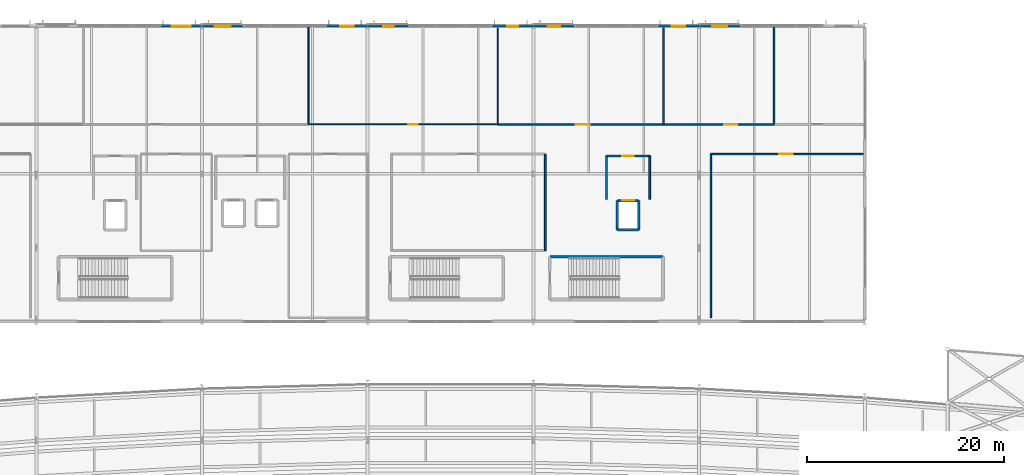
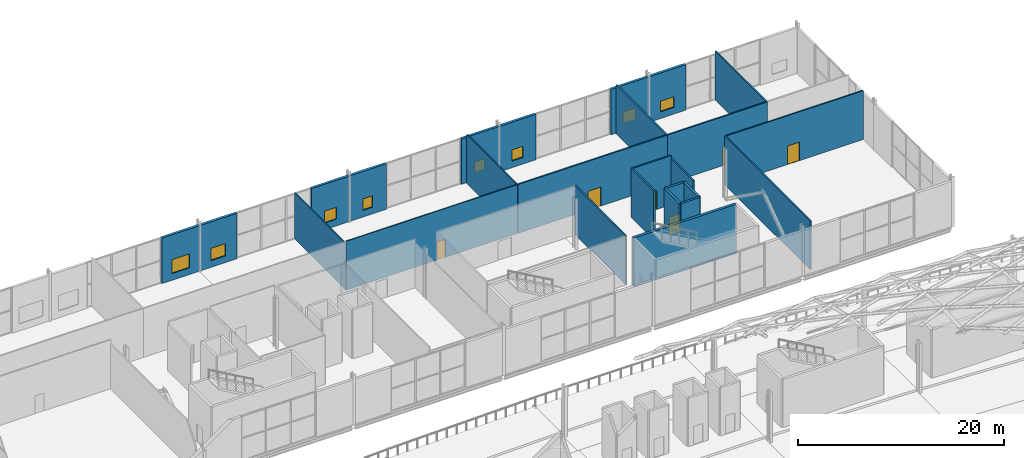
# One storey, part 85 of 100: 26 walls, 8 windows, 6 doors, 14 openings.
"""IFC4 building model written with IfcOpenShell, lengths in metres."""

from ifc_helpers import new_model, si_unit, direction, frame, frame_2d, origin, place, context, subcontext, project, spatial, rectangle, extrude, material, layer, layer_set, type_object, element, fill, save


model = new_model("IFC4")

# Units and contexts
model_context = context("Model", 3, precision=1e-05, world=origin(), true_north=direction((0.0, 1.0)))
body_context = subcontext(model_context, "Body", "Model", "MODEL_VIEW")
ifc_project = project(units=[si_unit("LENGTHUNIT", "METRE"), si_unit("AREAUNIT", "SQUARE_METRE"), si_unit("VOLUMEUNIT", "CUBIC_METRE"), si_unit("PLANEANGLEUNIT", "RADIAN"), si_unit("MASSUNIT", "GRAM", prefix="KILO")], contexts=[model_context])

# Site, building, storey
site_placement = place(None, origin())
site = spatial("IfcSite", under=ifc_project, at=site_placement, CompositionType="ELEMENT")
building_placement = place(site_placement, origin())
building = spatial("IfcBuilding", under=site, at=building_placement, Name="Kimbaza Rail Terminus", CompositionType="ELEMENT")
storey_placement = place(building_placement, frame((0.0, 0.0, 10.800048828125)))
storey = spatial("IfcBuildingStorey", under=building, at=storey_placement, Name="L02", CompositionType="ELEMENT", Elevation=10.800048828125)

# Wall, opening, window
ifc_material_1 = material(Name="Precast concrete C40/50", Category="concrete")
ifc_layer_1 = layer(ifc_material_1, 0.280029296875)
ifc_layer_set_1 = layer_set([ifc_layer_1], Name="Precast concrete C40/50")
wall_type_1 = type_object("IfcWallType", Name="ARC-WL-EXT280", PredefinedType="STANDARD", material=ifc_layer_set_1)
wall_1_placement = place(storey_placement, frame((84.60009765625, 133.0, 0.0), z_axis=(0.0, 0.0, 1.0), x_axis=(1.0, 0.0, 0.0)))
wall_1 = element("IfcWall", 1, at=wall_1_placement, inside=storey, type_object=wall_type_1, Name="Operations North Pier L02 1B", PredefinedType="STANDARD", context=body_context, shape_type="SweptSolid", body=[
    extrude(rectangle(XDim=4.199951171875, YDim=0.280029296875, at=frame_2d((2.10009765625, 0.0))), origin(), (0.0, 0.0, 1.0), 5.405029296875),
])
opening_1_placement = place(wall_1_placement, frame((1.125, 0.0, 0.800048828125)))
opening_1 = element("IfcOpeningElement", 2, at=opening_1_placement, cuts=wall_1, Name="Opening W-23", PredefinedType="OPENING", context=body_context, shape_type="SweptSolid", body=[
    extrude(rectangle(XDim=1.949951171875, YDim=1.64990234375, at=frame_2d((0.97509765625, 0.824951171875))), frame((0.0, 0.14990234375, 0.0), z_axis=(0.0, -1.0, 0.0), x_axis=(1.0, 0.0, 0.0)), (0.0, 0.0, 1.0), 0.300048828125),
])
ifc_material_2 = material(Name="Thermally broken aluminium and solar low-E glass", Category="aluminium")
window_type_1 = type_object("IfcWindowType", Name="ARC-WIN-W-23", PartitioningType="SINGLE_PANEL", PredefinedType="WINDOW", material=ifc_material_2)
window_1_placement = place(opening_1_placement, origin())
window_1 = element("IfcWindow", 3, at=window_1_placement, inside=storey, type_object=window_type_1, Name="North Facade Window W-23", OverallHeight=1.64990234375, OverallWidth=1.949951171875, PartitioningType="SINGLE_PANEL", PredefinedType="WINDOW", context=body_context, shape_type="SweptSolid", body=[
    extrude(rectangle(XDim=1.949951171875, YDim=1.64990234375, at=frame_2d((0.97509765625, 0.824951171875))), frame((0.0, 0.030029296875, 0.0), z_axis=(0.0, -1.0, 0.0), x_axis=(1.0, 0.0, 0.0)), (0.0, 0.0, 1.0), 0.06005859375),
])
fill(opening_1, window_1)

wall_2_placement = place(storey_placement, frame((88.800048828125, 133.0, 0.0), z_axis=(0.0, 0.0, 1.0), x_axis=(1.0, 0.0, 0.0)))
wall_2 = element("IfcWall", 4, at=wall_2_placement, inside=storey, type_object=wall_type_1, Name="Operations North Pier L02 2A", PredefinedType="STANDARD", context=body_context, shape_type="SweptSolid", body=[
    extrude(rectangle(XDim=4.199951171875, YDim=0.280029296875, at=frame_2d((2.10009765625, 0.0))), origin(), (0.0, 0.0, 1.0), 5.405029296875),
])
opening_2_placement = place(wall_2_placement, frame((1.27490234375, 0.0, 0.800048828125)))
opening_2 = element("IfcOpeningElement", 5, at=opening_2_placement, cuts=wall_2, Name="Opening W-24", PredefinedType="OPENING", context=body_context, shape_type="SweptSolid", body=[
    extrude(rectangle(XDim=1.64990234375, YDim=1.449951171875, at=frame_2d((0.824951171875, 0.72509765625))), frame((0.0, 0.14990234375, 0.0), z_axis=(0.0, -1.0, 0.0), x_axis=(1.0, 0.0, 0.0)), (0.0, 0.0, 1.0), 0.300048828125),
])
ifc_material_3 = material(Name="Thermally broken aluminium and solar low-E glass", Category="aluminium")
window_type_2 = type_object("IfcWindowType", Name="ARC-WIN-W-24", PartitioningType="SINGLE_PANEL", PredefinedType="WINDOW", material=ifc_material_3)
window_2_placement = place(opening_2_placement, origin())
window_2 = element("IfcWindow", 6, at=window_2_placement, inside=storey, type_object=window_type_2, Name="North Facade Window W-24", OverallHeight=1.449951171875, OverallWidth=1.64990234375, PartitioningType="SINGLE_PANEL", PredefinedType="WINDOW", context=body_context, shape_type="SweptSolid", body=[
    extrude(rectangle(XDim=1.64990234375, YDim=1.449951171875, at=frame_2d((0.824951171875, 0.72509765625))), frame((0.0, 0.030029296875, 0.0), z_axis=(0.0, -1.0, 0.0), x_axis=(1.0, 0.0, 0.0)), (0.0, 0.0, 1.0), 0.06005859375),
])
fill(opening_2, window_2)

wall_3_placement = place(storey_placement, frame((101.39990234375, 133.0, 0.0), z_axis=(0.0, 0.0, 1.0), x_axis=(1.0, 0.0, 0.0)))
wall_3 = element("IfcWall", 7, at=wall_3_placement, inside=storey, type_object=wall_type_1, Name="Operations North Pier L02 2B", PredefinedType="STANDARD", context=body_context, shape_type="SweptSolid", body=[
    extrude(rectangle(XDim=4.2001953125, YDim=0.280029296875, at=frame_2d((2.10009765625, 0.0))), origin(), (0.0, 0.0, 1.0), 5.405029296875),
])
opening_3_placement = place(wall_3_placement, frame((1.425048828125, 0.0, 0.800048828125)))
opening_3 = element("IfcOpeningElement", 8, at=opening_3_placement, cuts=wall_3, Name="Opening W-25", PredefinedType="OPENING", context=body_context, shape_type="SweptSolid", body=[
    extrude(rectangle(XDim=1.35009765625, YDim=1.39990234375, at=frame_2d((0.675048828125, 0.699951171875))), frame((0.0, 0.14990234375, 0.0), z_axis=(0.0, -1.0, 0.0), x_axis=(1.0, 0.0, 0.0)), (0.0, 0.0, 1.0), 0.300048828125),
])
ifc_material_4 = material(Name="Thermally broken aluminium and solar low-E glass", Category="aluminium")
window_type_3 = type_object("IfcWindowType", Name="ARC-WIN-W-25", PartitioningType="SINGLE_PANEL", PredefinedType="WINDOW", material=ifc_material_4)
window_3_placement = place(opening_3_placement, origin())
window_3 = element("IfcWindow", 9, at=window_3_placement, inside=storey, type_object=window_type_3, Name="North Facade Window W-25", OverallHeight=1.39990234375, OverallWidth=1.35009765625, PartitioningType="SINGLE_PANEL", PredefinedType="WINDOW", context=body_context, shape_type="SweptSolid", body=[
    extrude(rectangle(XDim=1.35009765625, YDim=1.39990234375, at=frame_2d((0.675048828125, 0.699951171875))), frame((0.0, 0.030029296875, 0.0), z_axis=(0.0, -1.0, 0.0), x_axis=(1.0, 0.0, 0.0)), (0.0, 0.0, 1.0), 0.06005859375),
])
fill(opening_3, window_3)

wall_4_placement = place(storey_placement, frame((105.60009765625, 133.0, 0.0), z_axis=(0.0, 0.0, 1.0), x_axis=(1.0, 0.0, 0.0)))
wall_4 = element("IfcWall", 10, at=wall_4_placement, inside=storey, type_object=wall_type_1, Name="Operations North Pier L02 3A", PredefinedType="STANDARD", context=body_context, shape_type="SweptSolid", body=[
    extrude(rectangle(XDim=4.199951171875, YDim=0.280029296875, at=frame_2d((2.10009765625, 0.0))), origin(), (0.0, 0.0, 1.0), 5.405029296875),
])
opening_4_placement = place(wall_4_placement, frame((1.574951171875, 0.0, 0.800048828125)))
opening_4 = element("IfcOpeningElement", 11, at=opening_4_placement, cuts=wall_4, Name="Opening W-26", PredefinedType="OPENING", context=body_context, shape_type="SweptSolid", body=[
    extrude(rectangle(XDim=1.050048828125, YDim=1.35009765625, at=frame_2d((0.52490234375, 0.675048828125))), frame((0.0, 0.14990234375, 0.0), z_axis=(0.0, -1.0, 0.0), x_axis=(1.0, 0.0, 0.0)), (0.0, 0.0, 1.0), 0.300048828125),
])
ifc_material_5 = material(Name="Thermally broken aluminium and solar low-E glass", Category="aluminium")
window_type_4 = type_object("IfcWindowType", Name="ARC-WIN-W-26", PartitioningType="SINGLE_PANEL", PredefinedType="WINDOW", material=ifc_material_5)
window_4_placement = place(opening_4_placement, origin())
window_4 = element("IfcWindow", 12, at=window_4_placement, inside=storey, type_object=window_type_4, Name="North Facade Window W-26", OverallHeight=1.35009765625, OverallWidth=1.050048828125, PartitioningType="SINGLE_PANEL", PredefinedType="WINDOW", context=body_context, shape_type="SweptSolid", body=[
    extrude(rectangle(XDim=1.050048828125, YDim=1.35009765625, at=frame_2d((0.52490234375, 0.675048828125))), frame((0.0, 0.030029296875, 0.0), z_axis=(0.0, -1.0, 0.0), x_axis=(1.0, 0.0, 0.0)), (0.0, 0.0, 1.0), 0.06005859375),
])
fill(opening_4, window_4)

wall_5_placement = place(storey_placement, frame((118.199951171875, 133.0, 0.0), z_axis=(0.0, 0.0, 1.0), x_axis=(1.0, 0.0, 0.0)))
wall_5 = element("IfcWall", 13, at=wall_5_placement, inside=storey, type_object=wall_type_1, Name="Operations North Pier L02 3B", PredefinedType="STANDARD", context=body_context, shape_type="SweptSolid", body=[
    extrude(rectangle(XDim=4.199951171875, YDim=0.280029296875, at=frame_2d((2.10009765625, 0.0))), origin(), (0.0, 0.0, 1.0), 5.405029296875),
])
opening_5_placement = place(wall_5_placement, frame((1.550048828125, 0.0, 0.800048828125)))
opening_5 = element("IfcOpeningElement", 14, at=opening_5_placement, cuts=wall_5, Name="Opening W-27", PredefinedType="OPENING", context=body_context, shape_type="SweptSolid", body=[
    extrude(rectangle(XDim=1.10009765625, YDim=1.25, at=frame_2d((0.550048828125, 0.625))), frame((0.0, 0.14990234375, 0.0), z_axis=(0.0, -1.0, 0.0), x_axis=(1.0, 0.0, 0.0)), (0.0, 0.0, 1.0), 0.300048828125),
])
ifc_material_6 = material(Name="Thermally broken aluminium and solar low-E glass", Category="aluminium")
window_type_5 = type_object("IfcWindowType", Name="ARC-WIN-W-27", PartitioningType="SINGLE_PANEL", PredefinedType="WINDOW", material=ifc_material_6)
window_5_placement = place(opening_5_placement, origin())
window_5 = element("IfcWindow", 15, at=window_5_placement, inside=storey, type_object=window_type_5, Name="North Facade Window W-27", OverallHeight=1.25, OverallWidth=1.10009765625, PartitioningType="SINGLE_PANEL", PredefinedType="WINDOW", context=body_context, shape_type="SweptSolid", body=[
    extrude(rectangle(XDim=1.10009765625, YDim=1.25, at=frame_2d((0.550048828125, 0.625))), frame((0.0, 0.030029296875, 0.0), z_axis=(0.0, -1.0, 0.0), x_axis=(1.0, 0.0, 0.0)), (0.0, 0.0, 1.0), 0.06005859375),
])
fill(opening_5, window_5)

wall_6_placement = place(storey_placement, frame((122.39990234375, 133.0, 0.0), z_axis=(0.0, 0.0, 1.0), x_axis=(1.0, 0.0, 0.0)))
wall_6 = element("IfcWall", 16, at=wall_6_placement, inside=storey, type_object=wall_type_1, Name="Operations North Pier L02 4A", PredefinedType="STANDARD", context=body_context, shape_type="SweptSolid", body=[
    extrude(rectangle(XDim=4.2001953125, YDim=0.280029296875, at=frame_2d((2.10009765625, 0.0))), origin(), (0.0, 0.0, 1.0), 5.405029296875),
])
opening_6_placement = place(wall_6_placement, frame((1.47998046875, 0.0, 0.800048828125)))
opening_6 = element("IfcOpeningElement", 17, at=opening_6_placement, cuts=wall_6, Name="Opening W-28", PredefinedType="OPENING", context=body_context, shape_type="SweptSolid", body=[
    extrude(rectangle(XDim=1.239990234375, YDim=1.31005859375, at=frame_2d((0.6201171875, 0.655029296875))), frame((0.0, 0.14990234375, 0.0), z_axis=(0.0, -1.0, 0.0), x_axis=(1.0, 0.0, 0.0)), (0.0, 0.0, 1.0), 0.300048828125),
])
ifc_material_7 = material(Name="Thermally broken aluminium and solar low-E glass", Category="aluminium")
window_type_6 = type_object("IfcWindowType", Name="ARC-WIN-W-28", PartitioningType="SINGLE_PANEL", PredefinedType="WINDOW", material=ifc_material_7)
window_6_placement = place(opening_6_placement, origin())
window_6 = element("IfcWindow", 18, at=window_6_placement, inside=storey, type_object=window_type_6, Name="North Facade Window W-28", OverallHeight=1.31005859375, OverallWidth=1.239990234375, PartitioningType="SINGLE_PANEL", PredefinedType="WINDOW", context=body_context, shape_type="SweptSolid", body=[
    extrude(rectangle(XDim=1.239990234375, YDim=1.31005859375, at=frame_2d((0.6201171875, 0.655029296875))), frame((0.0, 0.030029296875, 0.0), z_axis=(0.0, -1.0, 0.0), x_axis=(1.0, 0.0, 0.0)), (0.0, 0.0, 1.0), 0.06005859375),
])
fill(opening_6, window_6)

wall_7_placement = place(storey_placement, frame((135.0, 133.0, 0.0), z_axis=(0.0, 0.0, 1.0), x_axis=(1.0, 0.0, 0.0)))
wall_7 = element("IfcWall", 19, at=wall_7_placement, inside=storey, type_object=wall_type_1, Name="Operations North Pier L02 4B", PredefinedType="STANDARD", context=body_context, shape_type="SweptSolid", body=[
    extrude(rectangle(XDim=4.199951171875, YDim=0.280029296875, at=frame_2d((2.10009765625, 0.0))), origin(), (0.0, 0.0, 1.0), 5.405029296875),
])
opening_7_placement = place(wall_7_placement, frame((1.409912109375, 0.0, 0.800048828125)))
opening_7 = element("IfcOpeningElement", 20, at=opening_7_placement, cuts=wall_7, Name="Opening W-29", PredefinedType="OPENING", context=body_context, shape_type="SweptSolid", body=[
    extrude(rectangle(XDim=1.3798828125, YDim=1.3701171875, at=frame_2d((0.68994140625, 0.68505859375))), frame((0.0, 0.14990234375, 0.0), z_axis=(0.0, -1.0, 0.0), x_axis=(1.0, 0.0, 0.0)), (0.0, 0.0, 1.0), 0.300048828125),
])
ifc_material_8 = material(Name="Thermally broken aluminium and solar low-E glass", Category="aluminium")
window_type_7 = type_object("IfcWindowType", Name="ARC-WIN-W-29", PartitioningType="SINGLE_PANEL", PredefinedType="WINDOW", material=ifc_material_8)
window_7_placement = place(opening_7_placement, origin())
window_7 = element("IfcWindow", 21, at=window_7_placement, inside=storey, type_object=window_type_7, Name="North Facade Window W-29", OverallHeight=1.3701171875, OverallWidth=1.3798828125, PartitioningType="SINGLE_PANEL", PredefinedType="WINDOW", context=body_context, shape_type="SweptSolid", body=[
    extrude(rectangle(XDim=1.3798828125, YDim=1.3701171875, at=frame_2d((0.68994140625, 0.68505859375))), frame((0.0, 0.030029296875, 0.0), z_axis=(0.0, -1.0, 0.0), x_axis=(1.0, 0.0, 0.0)), (0.0, 0.0, 1.0), 0.06005859375),
])
fill(opening_7, window_7)

wall_8_placement = place(storey_placement, frame((139.199951171875, 133.0, 0.0), z_axis=(0.0, 0.0, 1.0), x_axis=(1.0, 0.0, 0.0)))
wall_8 = element("IfcWall", 22, at=wall_8_placement, inside=storey, type_object=wall_type_1, Name="Operations North Pier L02 5A", PredefinedType="STANDARD", context=body_context, shape_type="SweptSolid", body=[
    extrude(rectangle(XDim=4.199951171875, YDim=0.280029296875, at=frame_2d((2.10009765625, 0.0))), origin(), (0.0, 0.0, 1.0), 5.405029296875),
])
opening_8_placement = place(wall_8_placement, frame((1.340087890625, 0.0, 0.800048828125)))
opening_8 = element("IfcOpeningElement", 23, at=opening_8_placement, cuts=wall_8, Name="Opening W-30", PredefinedType="OPENING", context=body_context, shape_type="SweptSolid", body=[
    extrude(rectangle(XDim=1.52001953125, YDim=1.25, at=frame_2d((0.760009765625, 0.625))), frame((0.0, 0.14990234375, 0.0), z_axis=(0.0, -1.0, 0.0), x_axis=(1.0, 0.0, 0.0)), (0.0, 0.0, 1.0), 0.300048828125),
])
ifc_material_9 = material(Name="Thermally broken aluminium and solar low-E glass", Category="aluminium")
window_type_8 = type_object("IfcWindowType", Name="ARC-WIN-W-30", PartitioningType="SINGLE_PANEL", PredefinedType="WINDOW", material=ifc_material_9)
window_8_placement = place(opening_8_placement, origin())
window_8 = element("IfcWindow", 24, at=window_8_placement, inside=storey, type_object=window_type_8, Name="North Facade Window W-30", OverallHeight=1.25, OverallWidth=1.52001953125, PartitioningType="SINGLE_PANEL", PredefinedType="WINDOW", context=body_context, shape_type="SweptSolid", body=[
    extrude(rectangle(XDim=1.52001953125, YDim=1.25, at=frame_2d((0.760009765625, 0.625))), frame((0.0, 0.030029296875, 0.0), z_axis=(0.0, -1.0, 0.0), x_axis=(1.0, 0.0, 0.0)), (0.0, 0.0, 1.0), 0.06005859375),
])
fill(opening_8, window_8)

# Wall
ifc_material_10 = material(Name="Concrete blockwork C30/37", Category="masonry")
ifc_layer_2 = layer(ifc_material_10, 0.179931640625)
ifc_layer_set_2 = layer_set([ifc_layer_2], Name="Concrete blockwork C30/37")
wall_type_2 = type_object("IfcWallType", Name="ARC-WL-FIRE180", PredefinedType="PARTITIONING", material=ifc_layer_set_2)
wall_9_placement = place(storey_placement, frame((134.199951171875, 115.39990234375, 0.0), z_axis=(0.0, 0.0, 1.0), x_axis=(0.0, 1.0, 0.0)))
element("IfcWall", 25, at=wall_9_placement, inside=storey, type_object=wall_type_2, Name="Firefighting Lobby LF-02 Partition (east)", PredefinedType="PARTITIONING", context=body_context, shape_type="SweptSolid", body=[
    extrude(rectangle(XDim=4.400146484375, YDim=0.179931640625, at=frame_2d((2.2001953125, 0.0))), origin(), (0.0, 0.0, 1.0), 5.46484375),
])

# Wall, opening, door
wall_10_placement = place(storey_placement, frame((134.199951171875, 119.800048828125, 0.0), z_axis=(0.0, 0.0, 1.0), x_axis=(-1.0, 0.0, 0.0)))
wall_10 = element("IfcWall", 26, at=wall_10_placement, inside=storey, type_object=wall_type_2, Name="Firefighting Lobby LF-02 Partition (north)", PredefinedType="PARTITIONING", context=body_context, shape_type="SweptSolid", body=[
    extrude(rectangle(XDim=4.39990234375, YDim=0.179931640625, at=frame_2d((2.199951171875, 0.0))), origin(), (0.0, 0.0, 1.0), 5.800048828125),
])
opening_9_placement = place(wall_10_placement, frame((1.625, 0.0, 0.0)))
opening_9 = element("IfcOpeningElement", 27, at=opening_9_placement, cuts=wall_10, Name="Opening FD-03", PredefinedType="OPENING", context=body_context, shape_type="SweptSolid", body=[
    extrude(rectangle(XDim=1.14990234375, YDim=2.199951171875, at=frame_2d((0.574951171875, 1.10009765625))), frame((0.0, 0.099853515625, 0.0), z_axis=(0.0, -1.0, 0.0), x_axis=(1.0, 0.0, 0.0)), (0.0, 0.0, 1.0), 0.199951171875),
])
ifc_material_11 = material(Name="Firefighting lobby self-closing steel door", Category="steel")
door_type_1 = type_object("IfcDoorType", Name="ARC-DR-FD115", OperationType="NOTDEFINED", PredefinedType="DOOR", material=ifc_material_11)
door_1_placement = place(opening_9_placement, origin())
door_1 = element("IfcDoor", 28, at=door_1_placement, inside=storey, type_object=door_type_1, Name="IDR-SPC-FFL-LF-02-L02", OperationType="SINGLE_SWING_LEFT", OverallHeight=2.199951171875, OverallWidth=1.14990234375, PredefinedType="DOOR", context=body_context, shape_type="SweptSolid", body=[
    extrude(rectangle(XDim=1.14990234375, YDim=2.199951171875, at=frame_2d((0.574951171875, 1.10009765625))), frame((0.0, 0.02490234375, 0.0), z_axis=(0.0, -1.0, 0.0), x_axis=(1.0, 0.0, 0.0)), (0.0, 0.0, 1.0), 0.050048828125),
])
fill(opening_9, door_1)

# Wall
wall_11_placement = place(storey_placement, frame((129.800048828125, 119.800048828125, 0.0), z_axis=(0.0, 0.0, 1.0), x_axis=(0.0, -1.0, 0.0)))
element("IfcWall", 29, at=wall_11_placement, inside=storey, type_object=wall_type_2, Name="Firefighting Lobby LF-02 Partition (west)", PredefinedType="PARTITIONING", context=body_context, shape_type="SweptSolid", body=[
    extrude(rectangle(XDim=4.400146484375, YDim=0.179931640625, at=frame_2d((2.2001953125, 0.0))), origin(), (0.0, 0.0, 1.0), 5.800048828125),
])

# Wall, opening, door
ifc_material_12 = material(Name="Demountable acoustic glass wall", Category="glass")
ifc_layer_3 = layer(ifc_material_12, 0.110107421875)
ifc_layer_set_3 = layer_set([ifc_layer_3], Name="Demountable acoustic glass wall")
wall_type_3 = type_object("IfcWallType", Name="ARC-WL-MOV110", PredefinedType="MOVABLE", material=ifc_layer_set_3)
wall_12_placement = place(storey_placement, frame((99.60009765625, 123.0, 0.0), z_axis=(0.0, 0.0, 1.0), x_axis=(1.0, 0.0, 0.0)))
wall_12 = element("IfcWall", 30, at=wall_12_placement, inside=storey, type_object=wall_type_3, Name="Railway Fiber Telecoms Switching Room Partition (south)", PredefinedType="MOVABLE", context=body_context, shape_type="SweptSolid", body=[
    extrude(rectangle(XDim=19.199951171875, YDim=0.110107421875, at=frame_2d((9.60009765625, 0.0))), origin(), (0.0, 0.0, 1.0), 5.800048828125),
])
opening_10_placement = place(wall_12_placement, frame((10.125, 0.0, 0.0)))
opening_10 = element("IfcOpeningElement", 31, at=opening_10_placement, cuts=wall_12, Name="Opening ID-06", PredefinedType="OPENING", context=body_context, shape_type="SweptSolid", body=[
    extrude(rectangle(XDim=0.949951171875, YDim=2.14990234375, at=frame_2d((0.47509765625, 1.074951171875))), frame((0.0, 0.06494140625, 0.0), z_axis=(0.0, -1.0, 0.0), x_axis=(1.0, 0.0, 0.0)), (0.0, 0.0, 1.0), 0.130126953125),
])
ifc_material_13 = material(Name="Accessible washroom outward-capable door", Category="wood")
door_type_2 = type_object("IfcDoorType", Name="ARC-DR-ID095", OperationType="NOTDEFINED", PredefinedType="DOOR", material=ifc_material_13)
door_2_placement = place(opening_10_placement, origin())
door_2 = element("IfcDoor", 32, at=door_2_placement, inside=storey, type_object=door_type_2, Name="IDR-SPC-V5N-L02-03", OperationType="SINGLE_SWING_LEFT", OverallHeight=2.14990234375, OverallWidth=0.949951171875, PredefinedType="DOOR", context=body_context, shape_type="SweptSolid", body=[
    extrude(rectangle(XDim=0.949951171875, YDim=2.14990234375, at=frame_2d((0.47509765625, 1.074951171875))), frame((0.0, 0.02490234375, 0.0), z_axis=(0.0, -1.0, 0.0), x_axis=(1.0, 0.0, 0.0)), (0.0, 0.0, 1.0), 0.050048828125),
])
fill(opening_10, door_2)

# Walls
wall_13_placement = place(storey_placement, frame((118.800048828125, 123.0, 0.0), z_axis=(0.0, 0.0, 1.0), x_axis=(0.0, 1.0, 0.0)))
element("IfcWall", 33, at=wall_13_placement, inside=storey, type_object=wall_type_3, Name="Railway Fiber Telecoms Switching Room Partition (east)", PredefinedType="MOVABLE", context=body_context, shape_type="SweptSolid", body=[
    extrude(rectangle(XDim=9.800048828125, YDim=0.110107421875, at=frame_2d((4.89990234375, 0.0))), origin(), (0.0, 0.0, 1.0), 5.800048828125),
])
ifc_material_14 = material(Name="Moisture-resistant stud wall", Category="gypsum")
ifc_layer_4 = layer(ifc_material_14, 0.1201171875)
ifc_layer_set_4 = layer_set([ifc_layer_4], Name="Moisture-resistant stud wall")
wall_type_4 = type_object("IfcWallType", Name="ARC-WL-PART120", PredefinedType="PARTITIONING", material=ifc_layer_set_4)
wall_14_placement = place(storey_placement, frame((99.60009765625, 123.0, 0.0), z_axis=(0.0, 0.0, 1.0), x_axis=(0.0, 1.0, 0.0)))
element("IfcWall", 34, at=wall_14_placement, inside=storey, type_object=wall_type_4, Name="Interlocking Signalling Relay Suite B Partition (east)", PredefinedType="PARTITIONING", context=body_context, shape_type="SweptSolid", body=[
    extrude(rectangle(XDim=9.97998046875, YDim=0.1201171875, at=frame_2d((4.989990234375, 0.0))), origin(), (0.0, 0.0, 1.0), 5.46484375),
])

# Wall, opening, door
ifc_material_15 = material(Name="Acoustic gypsum stud partition", Category="gypsum")
ifc_layer_5 = layer(ifc_material_15, 0.14990234375)
ifc_layer_set_5 = layer_set([ifc_layer_5], Name="Acoustic gypsum stud partition")
wall_type_5 = type_object("IfcWallType", Name="ARC-WL-PART150", PredefinedType="PARTITIONING", material=ifc_layer_set_5)
wall_15_placement = place(storey_placement, frame((135.60009765625, 123.0, 0.0), z_axis=(0.0, 0.0, 1.0), x_axis=(1.0, 0.0, 0.0)))
wall_15 = element("IfcWall", 35, at=wall_15_placement, inside=storey, type_object=wall_type_5, Name="Signalling Diagnostic Workshop Partition (south)", PredefinedType="PARTITIONING", context=body_context, shape_type="SweptSolid", body=[
    extrude(rectangle(XDim=11.199951171875, YDim=0.14990234375, at=frame_2d((5.60009765625, 0.0))), origin(), (0.0, 0.0, 1.0), 5.800048828125),
])
opening_11_placement = place(wall_15_placement, frame((6.14990234375, 0.0, 0.0)))
opening_11 = element("IfcOpeningElement", 36, at=opening_11_placement, cuts=wall_15, Name="Opening ID-08", PredefinedType="OPENING", context=body_context, shape_type="SweptSolid", body=[
    extrude(rectangle(XDim=1.300048828125, YDim=2.14990234375, at=frame_2d((0.64990234375, 1.074951171875))), frame((0.0, 0.0849609375, 0.0), z_axis=(0.0, -1.0, 0.0), x_axis=(1.0, 0.0, 0.0)), (0.0, 0.0, 1.0), 0.169921875),
])
ifc_material_16 = material(Name="Training classroom acoustic door", Category="wood")
door_type_3 = type_object("IfcDoorType", Name="ARC-DR-ID130", OperationType="NOTDEFINED", PredefinedType="DOOR", material=ifc_material_16)
door_3_placement = place(opening_11_placement, origin())
door_3 = element("IfcDoor", 37, at=door_3_placement, inside=storey, type_object=door_type_3, Name="IDR-SPC-V5N-L02-05", OperationType="SINGLE_SWING_LEFT", OverallHeight=2.14990234375, OverallWidth=1.300048828125, PredefinedType="DOOR", context=body_context, shape_type="SweptSolid", body=[
    extrude(rectangle(XDim=1.300048828125, YDim=2.14990234375, at=frame_2d((0.64990234375, 1.074951171875))), frame((0.0, 0.02490234375, 0.0), z_axis=(0.0, -1.0, 0.0), x_axis=(1.0, 0.0, 0.0)), (0.0, 0.0, 1.0), 0.050048828125),
])
fill(opening_11, door_3)

# Wall
wall_16_placement = place(storey_placement, frame((146.800048828125, 123.0, 0.0), z_axis=(0.0, 0.0, 1.0), x_axis=(0.0, 1.0, 0.0)))
element("IfcWall", 38, at=wall_16_placement, inside=storey, type_object=wall_type_5, Name="Signalling Diagnostic Workshop Partition (east)", PredefinedType="PARTITIONING", context=body_context, shape_type="SweptSolid", body=[
    extrude(rectangle(XDim=9.97998046875, YDim=0.14990234375, at=frame_2d((4.989990234375, 0.0))), origin(), (0.0, 0.0, 1.0), 5.800048828125),
])

# Wall, opening, door
wall_17_placement = place(storey_placement, frame((155.860107421875, 120.0, 0.0), z_axis=(0.0, 0.0, 1.0), x_axis=(-1.0, 0.0, 0.0)))
wall_17 = element("IfcWall", 39, at=wall_17_placement, inside=storey, type_object=wall_type_5, Name="L02 East Telecoms Technical Office Partition (north)", PredefinedType="PARTITIONING", context=body_context, shape_type="SweptSolid", body=[
    extrude(rectangle(XDim=15.460205078125, YDim=0.14990234375, at=frame_2d((7.72998046875, 0.0))), origin(), (0.0, 0.0, 1.0), 5.800048828125),
])
opening_12_placement = place(wall_17_placement, frame((7.18505859375, 0.0, 0.0)))
opening_12 = element("IfcOpeningElement", 40, at=opening_12_placement, cuts=wall_17, Name="Opening ID-02", PredefinedType="OPENING", context=body_context, shape_type="SweptSolid", body=[
    extrude(rectangle(XDim=1.35009765625, YDim=2.199951171875, at=frame_2d((0.675048828125, 1.10009765625))), frame((0.0, 0.0849609375, 0.0), z_axis=(0.0, -1.0, 0.0), x_axis=(1.0, 0.0, 0.0)), (0.0, 0.0, 1.0), 0.169921875),
])
ifc_material_17 = material(Name="Anodised aluminium glazed lounge door", Category="aluminium")
door_type_4 = type_object("IfcDoorType", Name="ARC-DR-ID135", OperationType="NOTDEFINED", PredefinedType="DOOR", material=ifc_material_17)
door_4_placement = place(opening_12_placement, origin())
door_4 = element("IfcDoor", 41, at=door_4_placement, inside=storey, type_object=door_type_4, Name="IDR-SPC-V5S-L02-5", OperationType="SINGLE_SWING_LEFT", OverallHeight=2.199951171875, OverallWidth=1.35009765625, PredefinedType="DOOR", context=body_context, shape_type="SweptSolid", body=[
    extrude(rectangle(XDim=1.35009765625, YDim=2.199951171875, at=frame_2d((0.675048828125, 1.10009765625))), frame((0.0, 0.02490234375, 0.0), z_axis=(0.0, -1.0, 0.0), x_axis=(1.0, 0.0, 0.0)), (0.0, 0.0, 1.0), 0.050048828125),
])
fill(opening_12, door_4)

# Wall
wall_18_placement = place(storey_placement, frame((140.39990234375, 120.0, 0.0), z_axis=(0.0, 0.0, 1.0), x_axis=(0.0, -1.0, 0.0)))
element("IfcWall", 42, at=wall_18_placement, inside=storey, type_object=wall_type_5, Name="L02 East Telecoms Technical Office Partition (west)", PredefinedType="PARTITIONING", context=body_context, shape_type="SweptSolid", body=[
    extrude(rectangle(XDim=16.60009765625, YDim=0.14990234375, at=frame_2d((8.300048828125, 0.0))), origin(), (0.0, 0.0, 1.0), 5.800048828125),
])

# Wall, opening, door
ifc_material_18 = material(Name="Acoustic gypsum stud partition", Category="gypsum")
ifc_layer_6 = layer(ifc_material_18, 0.159912109375)
ifc_layer_set_6 = layer_set([ifc_layer_6], Name="Acoustic gypsum stud partition")
wall_type_6 = type_object("IfcWallType", Name="ARC-WL-PART160", PredefinedType="PARTITIONING", material=ifc_layer_set_6)
wall_19_placement = place(storey_placement, frame((118.800048828125, 123.0, 0.0), z_axis=(0.0, 0.0, 1.0), x_axis=(1.0, 0.0, 0.0)))
wall_19 = element("IfcWall", 43, at=wall_19_placement, inside=storey, type_object=wall_type_6, Name="Traction Power SCADA Supervision Partition (south)", PredefinedType="PARTITIONING", context=body_context, shape_type="SweptSolid", body=[
    extrude(rectangle(XDim=16.800048828125, YDim=0.159912109375, at=frame_2d((8.39990234375, 0.0))), origin(), (0.0, 0.0, 1.0), 5.800048828125),
])
opening_13_placement = place(wall_19_placement, frame((9.324951171875, 0.0, 0.0), z_axis=(0.0, 0.0, 1.0), x_axis=(-1.0, 0.0, 0.0)))
opening_13 = element("IfcOpeningElement", 44, at=opening_13_placement, cuts=wall_19, Name="Opening ID-07", PredefinedType="OPENING", context=body_context, shape_type="SweptSolid", body=[
    extrude(rectangle(XDim=1.449951171875, YDim=2.25, at=frame_2d((0.72509765625, 1.125))), frame((0.0, 0.08984375, 0.0), z_axis=(0.0, -1.0, 0.0), x_axis=(1.0, 0.0, 0.0)), (0.0, 0.0, 1.0), 0.179931640625),
])
ifc_material_19 = material(Name="Retail shopfront glazed entrance door", Category="aluminium")
door_type_5 = type_object("IfcDoorType", Name="ARC-DR-ID145", OperationType="NOTDEFINED", PredefinedType="DOOR", material=ifc_material_19)
door_5_placement = place(opening_13_placement, origin())
door_5 = element("IfcDoor", 45, at=door_5_placement, inside=storey, type_object=door_type_5, Name="IDR-SPC-V5N-L02-04", OperationType="SINGLE_SWING_RIGHT", OverallHeight=2.25, OverallWidth=1.449951171875, PredefinedType="DOOR", context=body_context, shape_type="SweptSolid", body=[
    extrude(rectangle(XDim=1.449951171875, YDim=2.25, at=frame_2d((0.72509765625, 1.125))), frame((0.0, 0.02490234375, 0.0), z_axis=(0.0, -1.0, 0.0), x_axis=(1.0, 0.0, 0.0)), (0.0, 0.0, 1.0), 0.050048828125),
])
fill(opening_13, door_5)

# Walls
for number, where, z_axis, x_axis, name in (
    (46, (135.60009765625, 123.0, 0.0), (0.0, 0.0, 1.0), (0.0, 1.0, 0.0), "Traction Power SCADA Supervision Partition (east)"),
    (47, (123.60009765625, 110.199951171875, 0.0), (0.0, 0.0, 1.0), (0.0, 1.0, 0.0), "L02 Rolling Stock Rostering Studio Partition (east)"),
):
    element("IfcWall", number, at=place(storey_placement, frame(where, z_axis=z_axis, x_axis=x_axis)), inside=storey, type_object=wall_type_6, Name=name, PredefinedType="PARTITIONING", context=body_context, shape_type="SweptSolid", body=[
        extrude(rectangle(XDim=9.800048828125, YDim=0.159912109375, at=frame_2d((4.89990234375, 0.0))), origin(), (0.0, 0.0, 1.0), 5.800048828125),
    ])
ifc_material_20 = material(Name="Concrete C40/50", Category="concrete")
ifc_layer_7 = layer(ifc_material_20, 0.25)
ifc_layer_set_7 = layer_set([ifc_layer_7], Name="Concrete C40/50")
wall_type_7 = type_object("IfcWallType", Name="STR-WL-CORE250", PredefinedType="SHEAR", material=ifc_layer_set_7)
wall_20_placement = place(storey_placement, frame((130.919921875, 112.320068359375, 0.0), z_axis=(0.0, 0.0, 1.0), x_axis=(1.0, 0.0, 0.0)))
element("IfcWall", 48, at=wall_20_placement, inside=storey, type_object=wall_type_7, Name="Lift Shaft Wall LF-02 L02-1", PredefinedType="SHEAR", context=body_context, shape_type="SweptSolid", body=[
    extrude(rectangle(XDim=2.16015625, YDim=0.25, at=frame_2d((1.080078125, 0.0))), origin(), (0.0, 0.0, 1.0), 5.800048828125),
])
wall_21_placement = place(storey_placement, frame((133.080078125, 112.320068359375, 0.0), z_axis=(0.0, 0.0, 1.0), x_axis=(0.0, 1.0, 0.0)))
element("IfcWall", 49, at=wall_21_placement, inside=storey, type_object=wall_type_7, Name="Lift Shaft Wall LF-02 L02-2", PredefinedType="SHEAR", context=body_context, shape_type="SweptSolid", body=[
    extrude(rectangle(XDim=2.9599609375, YDim=0.25, at=frame_2d((1.47998046875, 0.0))), origin(), (0.0, 0.0, 1.0), 5.800048828125),
])

# Wall, opening, door
wall_22_placement = place(storey_placement, frame((133.080078125, 115.280029296875, 0.0), z_axis=(0.0, 0.0, 1.0), x_axis=(-1.0, 0.0, 0.0)))
wall_22 = element("IfcWall", 50, at=wall_22_placement, inside=storey, type_object=wall_type_7, Name="Lift Shaft Wall LF-02 L02-3", PredefinedType="SHEAR", context=body_context, shape_type="SweptSolid", body=[
    extrude(rectangle(XDim=2.16015625, YDim=0.25, at=frame_2d((1.080078125, 0.0))), origin(), (0.0, 0.0, 1.0), 5.800048828125),
])
opening_14_placement = place(wall_22_placement, frame((0.47998046875, 0.0, 0.0)))
opening_14 = element("IfcOpeningElement", 51, at=opening_14_placement, cuts=wall_22, Name="Opening LD-02", PredefinedType="OPENING", context=body_context, shape_type="SweptSolid", body=[
    extrude(rectangle(XDim=1.199951171875, YDim=2.199951171875, at=frame_2d((0.60009765625, 1.10009765625))), frame((0.0, 0.135009765625, 0.0), z_axis=(0.0, -1.0, 0.0), x_axis=(1.0, 0.0, 0.0)), (0.0, 0.0, 1.0), 0.27001953125),
])
ifc_material_21 = material(Name="Firefighting stainless steel landing door", Category="steel")
door_type_6 = type_object("IfcDoorType", Name="ARC-DR-LD120", OperationType="NOTDEFINED", PredefinedType="DOOR", material=ifc_material_21)
door_6_placement = place(opening_14_placement, origin())
door_6 = element("IfcDoor", 52, at=door_6_placement, inside=storey, type_object=door_type_6, Name="LDR-LF-02-L02", OperationType="SLIDING_TO_RIGHT", OverallHeight=2.199951171875, OverallWidth=1.199951171875, PredefinedType="DOOR", context=body_context, shape_type="SweptSolid", body=[
    extrude(rectangle(XDim=1.199951171875, YDim=2.199951171875, at=frame_2d((0.60009765625, 1.10009765625))), frame((0.0, 0.02490234375, 0.0), z_axis=(0.0, -1.0, 0.0), x_axis=(1.0, 0.0, 0.0)), (0.0, 0.0, 1.0), 0.050048828125),
])
fill(opening_14, door_6)

# Walls
wall_23_placement = place(storey_placement, frame((130.919921875, 115.280029296875, 0.0), z_axis=(0.0, 0.0, 1.0), x_axis=(0.0, -1.0, 0.0)))
element("IfcWall", 53, at=wall_23_placement, inside=storey, type_object=wall_type_7, Name="Lift Shaft Wall LF-02 L02-4", PredefinedType="SHEAR", context=body_context, shape_type="SweptSolid", body=[
    extrude(rectangle(XDim=2.9599609375, YDim=0.25, at=frame_2d((1.47998046875, 0.0))), origin(), (0.0, 0.0, 1.0), 5.800048828125),
])
ifc_material_22 = material(Name="Concrete C40/50", Category="concrete")
ifc_layer_8 = layer(ifc_material_22, 0.280029296875)
ifc_layer_set_8 = layer_set([ifc_layer_8], Name="Concrete C40/50")
wall_type_8 = type_object("IfcWallType", Name="STR-WL-CORE280", PredefinedType="SHEAR", material=ifc_layer_set_8)
wall_24_placement = place(storey_placement, frame((135.5400390625, 109.580078125, 0.0), z_axis=(0.0, 0.0, 1.0), x_axis=(-1.0, 0.0, 0.0)))
element("IfcWall", 54, at=wall_24_placement, inside=storey, type_object=wall_type_8, Name="Operations East Exit Stair Shaft Wall L02-3", PredefinedType="SHEAR", context=body_context, shape_type="SweptSolid", body=[
    extrude(rectangle(XDim=11.47998046875, YDim=0.280029296875, at=frame_2d((5.739990234375, 0.0))), origin(), (0.0, 0.0, 1.0), 5.800048828125),
])

save(model, "model.ifc")
